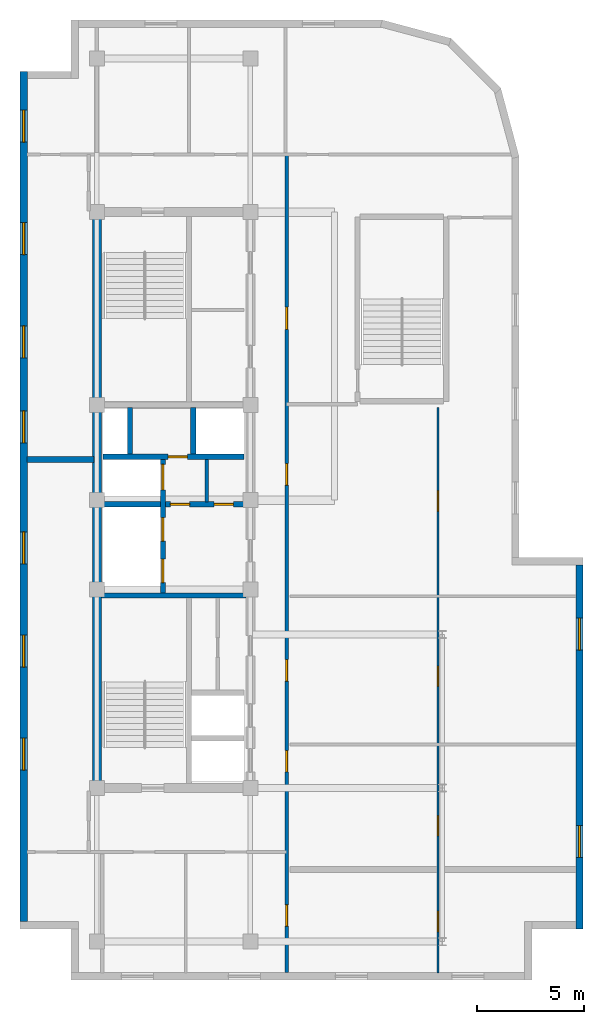
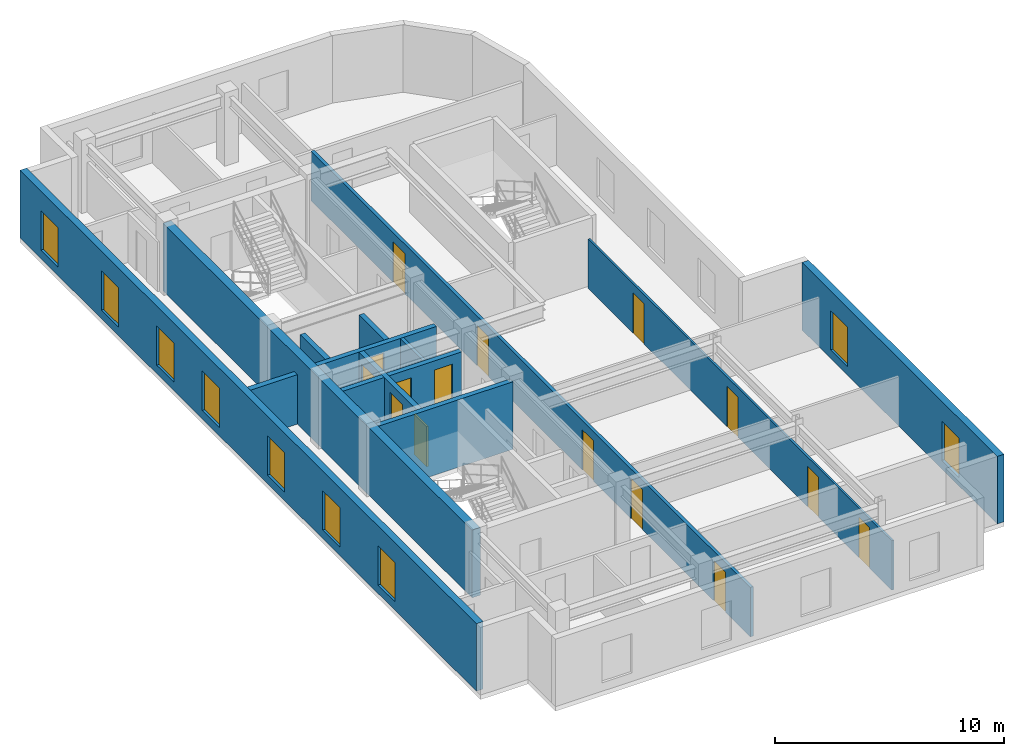
# One storey, part 3 of 6: 15 doors, 13 walls, 9 windows, 24 openings.
"""IFC4 building model written with IfcOpenShell, lengths in metres."""

from ifc_helpers import new_model, entity, si_unit, converted_unit, direction, frame, origin_with_axes, origin_2d_with_axis, place, context, subcontext, project, spatial, polyline, rectangle, outline, extrude, material, layer, layer_set, type_object, element, fill, save


model = new_model("IFC4")

# Units and contexts
model_context = context("Model", 3, precision=1e-05, world=origin_with_axes(), true_north=direction((0.0, 1.0)))
body_context = subcontext(model_context, "Body", "Model", "MODEL_VIEW")
ifc_project = project(units=[si_unit("LENGTHUNIT", "METRE"), si_unit("AREAUNIT", "SQUARE_METRE"), si_unit("VOLUMEUNIT", "CUBIC_METRE"), converted_unit("PLANEANGLEUNIT", "DEGREE", entity("IfcPlaneAngleMeasure", 0.017453292519943295), si_unit("PLANEANGLEUNIT", "RADIAN"), dimensions=[0, 0, 0, 0, 0, 0, 0]), si_unit("MASSUNIT", "GRAM", prefix="KILO"), si_unit("THERMODYNAMICTEMPERATUREUNIT", "KELVIN")], contexts=[model_context])

# Site, building, storey
site_placement = place(None, origin_with_axes())
site = spatial("IfcSite", under=ifc_project, at=site_placement, CompositionType="ELEMENT")
building_placement = place(site_placement, origin_with_axes())
building = spatial("IfcBuilding", under=site, at=building_placement, Name="Varnlund Millrace Tower", CompositionType="ELEMENT")
storey_placement = place(building_placement, frame((0.0, 0.0, 299.7), z_axis=(0.0, 0.0, 1.0), x_axis=(1.0, 0.0, 0.0)))
storey = spatial("IfcBuildingStorey", under=building, at=storey_placement, Name="L74", CompositionType="ELEMENT", Elevation=299.7)

# Wall
ifc_material_1 = material(Name="Concrete C60/75", Category="concrete")
ifc_layer_1 = layer(ifc_material_1, 0.42, Name="Concrete C60/75")
ifc_layer_set_1 = layer_set([ifc_layer_1], Name="Concrete C60/75")
wall_type_1 = type_object("IfcWallType", Name="Type-CoreWall-Shear-420-C60", PredefinedType="SHEAR", material=ifc_layer_set_1)
wall_1_placement = place(storey_placement, frame((11.4, 10.8, 0.0), z_axis=(0.0, 0.0, 1.0), x_axis=(0.0, 1.0, 0.0)))
element("IfcWall", 1, at=wall_1_placement, inside=storey, type_object=wall_type_1, Name="Type-CoreWall-Shear-420-C60", PredefinedType="SHEAR", context=body_context, shape_type="SweptSolid", body=[
    extrude(outline(polyline([(0.0, -0.21), (27.0, -0.21), (27.0, 0.21), (0.0, 0.21), (0.0, -0.21)])), origin_with_axes(), (0.0, 0.0, 1.0), 3.6),
])

# Wall, openings, windows
ifc_material_2 = material(Name="Precast concrete C50/60", Category="concrete")
ifc_layer_2 = layer(ifc_material_2, 0.34, Name="Precast concrete C50/60")
ifc_layer_set_2 = layer_set([ifc_layer_2], Name="Precast concrete C50/60")
wall_type_2 = type_object("IfcWallType", Name="Type-ExtWall-Precast-Upper-340", PredefinedType="SOLIDWALL", material=ifc_layer_set_2)
wall_2_placement = place(storey_placement, frame((7.97, 4.54, 0.0), z_axis=(0.0, 0.0, 1.0), x_axis=(0.0, 1.0, 0.0)))
wall_2 = element("IfcWall", 2, at=wall_2_placement, inside=storey, type_object=wall_type_2, Name="Type-ExtWall-Precast-Upper-340", PredefinedType="SOLIDWALL", context=body_context, shape_type="SweptSolid", body=[
    extrude(outline(polyline([(0.0, -0.17), (39.86, -0.17), (39.86, 0.17), (0.0, 0.17), (0.0, -0.17)])), origin_with_axes(), (0.0, 0.0, 1.0), 3.6),
])
opening_1_placement = place(wall_2_placement, frame((7.849, 0.0, 0.45), z_axis=(0.0, 0.0, 1.0), x_axis=(1.0, 0.0, 0.0)))
opening_1 = element("IfcOpeningElement", 3, at=opening_1_placement, cuts=wall_2, Name="Opening L74:WN-05", PredefinedType="OPENING", context=body_context, shape_type="SweptSolid", body=[
    extrude(rectangle(XDim=1.5, YDim=0.36, at=origin_2d_with_axis()), origin_with_axes(), (0.0, 0.0, 1.0), 2.1),
])
opening_2_placement = place(wall_2_placement, frame((12.681, 0.0, 0.45), z_axis=(0.0, 0.0, 1.0), x_axis=(1.0, 0.0, 0.0)))
opening_2 = element("IfcOpeningElement", 4, at=opening_2_placement, cuts=wall_2, Name="Opening L74:WN-06", PredefinedType="OPENING", context=body_context, shape_type="SweptSolid", body=[
    extrude(rectangle(XDim=1.5, YDim=0.36, at=origin_2d_with_axis()), origin_with_axes(), (0.0, 0.0, 1.0), 2.1),
])
opening_3_placement = place(wall_2_placement, frame((17.514, 0.0, 0.45), z_axis=(0.0, 0.0, 1.0), x_axis=(1.0, 0.0, 0.0)))
opening_3 = element("IfcOpeningElement", 5, at=opening_3_placement, cuts=wall_2, Name="Opening L74:WN-07", PredefinedType="OPENING", context=body_context, shape_type="SweptSolid", body=[
    extrude(rectangle(XDim=1.5, YDim=0.36, at=origin_2d_with_axis()), origin_with_axes(), (0.0, 0.0, 1.0), 2.1),
])
opening_4_placement = place(wall_2_placement, frame((23.196, 0.0, 0.45), z_axis=(0.0, 0.0, 1.0), x_axis=(1.0, 0.0, 0.0)))
opening_4 = element("IfcOpeningElement", 6, at=opening_4_placement, cuts=wall_2, Name="Opening L74:WN-08", PredefinedType="OPENING", context=body_context, shape_type="SweptSolid", body=[
    extrude(rectangle(XDim=1.5, YDim=0.36, at=origin_2d_with_axis()), origin_with_axes(), (0.0, 0.0, 1.0), 2.1),
])
opening_5_placement = place(wall_2_placement, frame((27.179, 0.0, 0.45), z_axis=(0.0, 0.0, 1.0), x_axis=(1.0, 0.0, 0.0)))
opening_5 = element("IfcOpeningElement", 7, at=opening_5_placement, cuts=wall_2, Name="Opening L74:WN-09", PredefinedType="OPENING", context=body_context, shape_type="SweptSolid", body=[
    extrude(rectangle(XDim=1.5, YDim=0.36, at=origin_2d_with_axis()), origin_with_axes(), (0.0, 0.0, 1.0), 2.1),
])
opening_6_placement = place(wall_2_placement, frame((32.011, 0.0, 0.45), z_axis=(0.0, 0.0, 1.0), x_axis=(1.0, 0.0, 0.0)))
opening_6 = element("IfcOpeningElement", 8, at=opening_6_placement, cuts=wall_2, Name="Opening L74:WN-10", PredefinedType="OPENING", context=body_context, shape_type="SweptSolid", body=[
    extrude(rectangle(XDim=1.5, YDim=0.36, at=origin_2d_with_axis()), origin_with_axes(), (0.0, 0.0, 1.0), 2.1),
])
opening_7_placement = place(wall_2_placement, frame((37.294, 0.0, 0.45), z_axis=(0.0, 0.0, 1.0), x_axis=(1.0, 0.0, 0.0)))
opening_7 = element("IfcOpeningElement", 9, at=opening_7_placement, cuts=wall_2, Name="Opening L74:WN-11", PredefinedType="OPENING", context=body_context, shape_type="SweptSolid", body=[
    extrude(rectangle(XDim=1.5, YDim=0.36, at=origin_2d_with_axis()), origin_with_axes(), (0.0, 0.0, 1.0), 2.1),
])
ifc_material_3 = material(Name="Argon low-e triple glazing in thermally broken bronze frame", Category="glass")
window_type = type_object("IfcWindowType", Name="Type-Window-Punched-1500X2100", PartitioningType="SINGLE_PANEL", PredefinedType="WINDOW", material=ifc_material_3)
window_1_placement = place(wall_2_placement, frame((7.849, 0.0, 0.45), z_axis=(0.0, 0.0, 1.0), x_axis=(1.0, 0.0, 0.0)))
window_1 = element("IfcWindow", 10, at=window_1_placement, inside=storey, type_object=window_type, Name="Type-Window-Punched-1500X2100", OverallHeight=2.1, OverallWidth=1.5, PredefinedType="WINDOW", context=body_context, shape_type="SweptSolid", body=[
    extrude(rectangle(XDim=1.5, YDim=0.09, at=origin_2d_with_axis()), origin_with_axes(), (0.0, 0.0, 1.0), 2.1),
])
fill(opening_1, window_1)
window_2_placement = place(wall_2_placement, frame((12.681, 0.0, 0.45), z_axis=(0.0, 0.0, 1.0), x_axis=(1.0, 0.0, 0.0)))
window_2 = element("IfcWindow", 11, at=window_2_placement, inside=storey, type_object=window_type, Name="Type-Window-Punched-1500X2100", OverallHeight=2.1, OverallWidth=1.5, PredefinedType="WINDOW", context=body_context, shape_type="SweptSolid", body=[
    extrude(rectangle(XDim=1.5, YDim=0.09, at=origin_2d_with_axis()), origin_with_axes(), (0.0, 0.0, 1.0), 2.1),
])
fill(opening_2, window_2)
window_3_placement = place(wall_2_placement, frame((17.514, 0.0, 0.45), z_axis=(0.0, 0.0, 1.0), x_axis=(1.0, 0.0, 0.0)))
window_3 = element("IfcWindow", 12, at=window_3_placement, inside=storey, type_object=window_type, Name="Type-Window-Punched-1500X2100", OverallHeight=2.1, OverallWidth=1.5, PredefinedType="WINDOW", context=body_context, shape_type="SweptSolid", body=[
    extrude(rectangle(XDim=1.5, YDim=0.09, at=origin_2d_with_axis()), origin_with_axes(), (0.0, 0.0, 1.0), 2.1),
])
fill(opening_3, window_3)
window_4_placement = place(wall_2_placement, frame((23.196, 0.0, 0.45), z_axis=(0.0, 0.0, 1.0), x_axis=(1.0, 0.0, 0.0)))
window_4 = element("IfcWindow", 13, at=window_4_placement, inside=storey, type_object=window_type, Name="Type-Window-Punched-1500X2100", OverallHeight=2.1, OverallWidth=1.5, PredefinedType="WINDOW", context=body_context, shape_type="SweptSolid", body=[
    extrude(rectangle(XDim=1.5, YDim=0.09, at=origin_2d_with_axis()), origin_with_axes(), (0.0, 0.0, 1.0), 2.1),
])
fill(opening_4, window_4)
window_5_placement = place(wall_2_placement, frame((27.179, 0.0, 0.45), z_axis=(0.0, 0.0, 1.0), x_axis=(1.0, 0.0, 0.0)))
window_5 = element("IfcWindow", 14, at=window_5_placement, inside=storey, type_object=window_type, Name="Type-Window-Punched-1500X2100", OverallHeight=2.1, OverallWidth=1.5, PredefinedType="WINDOW", context=body_context, shape_type="SweptSolid", body=[
    extrude(rectangle(XDim=1.5, YDim=0.09, at=origin_2d_with_axis()), origin_with_axes(), (0.0, 0.0, 1.0), 2.1),
])
fill(opening_5, window_5)
window_6_placement = place(wall_2_placement, frame((32.011, 0.0, 0.45), z_axis=(0.0, 0.0, 1.0), x_axis=(1.0, 0.0, 0.0)))
window_6 = element("IfcWindow", 15, at=window_6_placement, inside=storey, type_object=window_type, Name="Type-Window-Punched-1500X2100", OverallHeight=2.1, OverallWidth=1.5, PredefinedType="WINDOW", context=body_context, shape_type="SweptSolid", body=[
    extrude(rectangle(XDim=1.5, YDim=0.09, at=origin_2d_with_axis()), origin_with_axes(), (0.0, 0.0, 1.0), 2.1),
])
fill(opening_6, window_6)
window_7_placement = place(wall_2_placement, frame((37.294, 0.0, 0.45), z_axis=(0.0, 0.0, 1.0), x_axis=(1.0, 0.0, 0.0)))
window_7 = element("IfcWindow", 16, at=window_7_placement, inside=storey, type_object=window_type, Name="Type-Window-Punched-1500X2100", OverallHeight=2.1, OverallWidth=1.5, PredefinedType="WINDOW", context=body_context, shape_type="SweptSolid", body=[
    extrude(rectangle(XDim=1.5, YDim=0.09, at=origin_2d_with_axis()), origin_with_axes(), (0.0, 0.0, 1.0), 2.1),
])
fill(opening_7, window_7)

wall_3_placement = place(storey_placement, frame((34.03, 21.26, 0.0), z_axis=(0.0, 0.0, 1.0), x_axis=(0.0, -1.0, 0.0)))
wall_3 = element("IfcWall", 17, at=wall_3_placement, inside=storey, type_object=wall_type_2, Name="Type-ExtWall-Precast-Upper-340", PredefinedType="SOLIDWALL", context=body_context, shape_type="SweptSolid", body=[
    extrude(outline(polyline([(0.0, -0.17), (17.06, -0.17), (17.06, 0.17), (0.0, 0.17), (0.0, -0.17)])), origin_with_axes(), (0.0, 0.0, 1.0), 3.6),
])
opening_8_placement = place(wall_3_placement, frame((3.243, 0.0, 0.45), z_axis=(0.0, 0.0, 1.0), x_axis=(1.0, 0.0, 0.0)))
opening_8 = element("IfcOpeningElement", 18, at=opening_8_placement, cuts=wall_3, Name="Opening L74:WN-17", PredefinedType="OPENING", context=body_context, shape_type="SweptSolid", body=[
    extrude(rectangle(XDim=1.5, YDim=0.36, at=origin_2d_with_axis()), origin_with_axes(), (0.0, 0.0, 1.0), 2.1),
])
opening_9_placement = place(wall_3_placement, frame((12.967, 0.0, 0.45), z_axis=(0.0, 0.0, 1.0), x_axis=(1.0, 0.0, 0.0)))
opening_9 = element("IfcOpeningElement", 19, at=opening_9_placement, cuts=wall_3, Name="Opening L74:WN-18", PredefinedType="OPENING", context=body_context, shape_type="SweptSolid", body=[
    extrude(rectangle(XDim=1.5, YDim=0.36, at=origin_2d_with_axis()), origin_with_axes(), (0.0, 0.0, 1.0), 2.1),
])
window_8_placement = place(wall_3_placement, frame((3.243, 0.0, 0.45), z_axis=(0.0, 0.0, 1.0), x_axis=(1.0, 0.0, 0.0)))
window_8 = element("IfcWindow", 20, at=window_8_placement, inside=storey, type_object=window_type, Name="Type-Window-Punched-1500X2100", OverallHeight=2.1, OverallWidth=1.5, PredefinedType="WINDOW", context=body_context, shape_type="SweptSolid", body=[
    extrude(rectangle(XDim=1.5, YDim=0.09, at=origin_2d_with_axis()), origin_with_axes(), (0.0, 0.0, 1.0), 2.1),
])
fill(opening_8, window_8)
window_9_placement = place(wall_3_placement, frame((12.967, 0.0, 0.45), z_axis=(0.0, 0.0, 1.0), x_axis=(1.0, 0.0, 0.0)))
window_9 = element("IfcWindow", 21, at=window_9_placement, inside=storey, type_object=window_type, Name="Type-Window-Punched-1500X2100", OverallHeight=2.1, OverallWidth=1.5, PredefinedType="WINDOW", context=body_context, shape_type="SweptSolid", body=[
    extrude(rectangle(XDim=1.5, YDim=0.09, at=origin_2d_with_axis()), origin_with_axes(), (0.0, 0.0, 1.0), 2.1),
])
fill(opening_9, window_9)

# Walls
ifc_material_4 = material(Name="Double-stud STC-60 conference acoustic partition", Category="gypsum")
ifc_layer_3 = layer(ifc_material_4, 0.28, Name="Double-stud STC-60 conference acoustic partition")
ifc_layer_set_3 = layer_set([ifc_layer_3], Name="Double-stud STC-60 conference acoustic partition")
wall_type_3 = type_object("IfcWallType", Name="Type-Partition-Acoustic-280", PredefinedType="PARTITIONING", material=ifc_layer_set_3)
wall_4_placement = place(storey_placement, frame((8.135, 26.2, 0.0), z_axis=(0.0, 0.0, 1.0), x_axis=(1.0, 0.0, 0.0)))
element("IfcWall", 22, at=wall_4_placement, inside=storey, type_object=wall_type_3, Name="Type-Partition-Acoustic-280", PredefinedType="PARTITIONING", context=body_context, shape_type="SweptSolid", body=[
    extrude(outline(polyline([(0.0, -0.14), (3.135, -0.14), (3.135, 0.14), (0.0, 0.14), (0.0, -0.14)])), origin_with_axes(), (0.0, 0.0, 1.0), 2.64),
])
ifc_material_5 = material(Name="Fire-rated gypsum board on cold-formed steel framing", Category="steel")
ifc_layer_4 = layer(ifc_material_5, 0.16, Name="Fire-rated gypsum board on cold-formed steel framing")
ifc_layer_set_4 = layer_set([ifc_layer_4], Name="Fire-rated gypsum board on cold-formed steel framing")
wall_type_4 = type_object("IfcWallType", Name="Type-Partition-Corridor-160", PredefinedType="PARTITIONING", material=ifc_layer_set_4)
wall_5_placement = place(storey_placement, frame((16.55, 24.22, 0.0), z_axis=(0.0, 0.0, 1.0), x_axis=(0.0, 1.0, 0.0)))
element("IfcWall", 23, at=wall_5_placement, inside=storey, type_object=wall_type_4, Name="Type-Partition-Corridor-160", PredefinedType="PARTITIONING", context=body_context, shape_type="SweptSolid", body=[
    extrude(outline(polyline([(0.0, -0.08), (1.98, -0.08), (1.98, 0.08), (0.0, 0.08), (0.0, -0.08)])), origin_with_axes(), (0.0, 0.0, 1.0), 2.64),
])

# Wall, openings, doors
wall_6_placement = place(storey_placement, frame((20.3, 2.14, 0.0), z_axis=(0.0, 0.0, 1.0), x_axis=(0.0, 1.0, 0.0)))
wall_6 = element("IfcWall", 24, at=wall_6_placement, inside=storey, type_object=wall_type_4, Name="Type-Partition-Corridor-160", PredefinedType="PARTITIONING", context=body_context, shape_type="SweptSolid", body=[
    extrude(outline(polyline([(0.0, -0.08), (38.36, -0.08), (38.36, 0.08), (0.0, 0.08), (0.0, -0.08)])), origin_with_axes(), (0.0, 0.0, 1.0), 2.64),
])
opening_10_placement = place(wall_6_placement, frame((30.685, 0.0, 0.0), z_axis=(0.0, 0.0, 1.0), x_axis=(1.0, 0.0, 0.0)))
opening_10 = element("IfcOpeningElement", 25, at=opening_10_placement, cuts=wall_6, Name="Opening L74:DR-STA3-COR", PredefinedType="OPENING", context=body_context, shape_type="SweptSolid", body=[
    extrude(rectangle(XDim=1.05, YDim=0.18, at=origin_2d_with_axis()), origin_with_axes(), (0.0, 0.0, 1.0), 2.15),
])
opening_11_placement = place(wall_6_placement, frame((2.683, 0.0, 0.0), z_axis=(0.0, 0.0, 1.0), x_axis=(1.0, 0.0, 0.0)))
opening_11 = element("IfcOpeningElement", 26, at=opening_11_placement, cuts=wall_6, Name="Opening L74:DR-SUM-01", PredefinedType="OPENING", context=body_context, shape_type="SweptSolid", body=[
    extrude(rectangle(XDim=1.0, YDim=0.18, at=origin_2d_with_axis()), origin_with_axes(), (0.0, 0.0, 1.0), 2.15),
])
opening_12_placement = place(wall_6_placement, frame((9.919, 0.0, 0.0), z_axis=(0.0, 0.0, 1.0), x_axis=(1.0, 0.0, 0.0)))
opening_12 = element("IfcOpeningElement", 27, at=opening_12_placement, cuts=wall_6, Name="Opening L74:DR-SUM-02", PredefinedType="OPENING", context=body_context, shape_type="SweptSolid", body=[
    extrude(rectangle(XDim=1.0, YDim=0.18, at=origin_2d_with_axis()), origin_with_axes(), (0.0, 0.0, 1.0), 2.15),
])
opening_13_placement = place(wall_6_placement, frame((14.1755, 0.0, 0.0), z_axis=(0.0, 0.0, 1.0), x_axis=(1.0, 0.0, 0.0)))
opening_13 = element("IfcOpeningElement", 28, at=opening_13_placement, cuts=wall_6, Name="Opening L74:DR-SUM-03", PredefinedType="OPENING", context=body_context, shape_type="SweptSolid", body=[
    extrude(rectangle(XDim=1.0, YDim=0.18, at=origin_2d_with_axis()), origin_with_axes(), (0.0, 0.0, 1.0), 2.15),
])
opening_14_placement = place(wall_6_placement, frame((23.364, 0.0, 0.0), z_axis=(0.0, 0.0, 1.0), x_axis=(1.0, 0.0, 0.0)))
opening_14 = element("IfcOpeningElement", 29, at=opening_14_placement, cuts=wall_6, Name="Opening L74:DR-SUM-04", PredefinedType="OPENING", context=body_context, shape_type="SweptSolid", body=[
    extrude(rectangle(XDim=1.0, YDim=0.18, at=origin_2d_with_axis()), origin_with_axes(), (0.0, 0.0, 1.0), 2.15),
])
ifc_material_6 = material(Name="Smoke-barrier hollow steel fire door", Category="steel")
door_type_1 = type_object("IfcDoorType", Name="Type-FireDoor-Lobby-1050X2150", OperationType="NOTDEFINED", PredefinedType="DOOR", material=ifc_material_6)
door_1_placement = place(wall_6_placement, frame((30.685, 0.0, 0.0), z_axis=(0.0, 0.0, 1.0), x_axis=(1.0, 0.0, 0.0)))
door_1 = element("IfcDoor", 30, at=door_1_placement, inside=storey, type_object=door_type_1, Name="Type-FireDoor-Lobby-1050X2150", OperationType="SINGLE_SWING_LEFT", OverallHeight=2.15, OverallWidth=1.05, PredefinedType="DOOR", context=body_context, shape_type="SweptSolid", body=[
    extrude(rectangle(XDim=1.05, YDim=0.09, at=origin_2d_with_axis()), origin_with_axes(), (0.0, 0.0, 1.0), 2.15),
])
fill(opening_10, door_1)
ifc_material_7 = material(Name="Solid-core white oak and bronze frame door")
door_type_2 = type_object("IfcDoorType", Name="Type-IntDoor-Office-1000X2150", OperationType="NOTDEFINED", PredefinedType="DOOR", material=ifc_material_7)
door_2_placement = place(wall_6_placement, frame((2.683, 0.0, 0.0), z_axis=(0.0, 0.0, 1.0), x_axis=(1.0, 0.0, 0.0)))
door_2 = element("IfcDoor", 31, at=door_2_placement, inside=storey, type_object=door_type_2, Name="Type-IntDoor-Office-1000X2150", OperationType="SINGLE_SWING_LEFT", OverallHeight=2.15, OverallWidth=1.0, PredefinedType="DOOR", context=body_context, shape_type="SweptSolid", body=[
    extrude(rectangle(XDim=1.0, YDim=0.09, at=origin_2d_with_axis()), origin_with_axes(), (0.0, 0.0, 1.0), 2.15),
])
fill(opening_11, door_2)
door_3_placement = place(wall_6_placement, frame((9.919, 0.0, 0.0), z_axis=(0.0, 0.0, 1.0), x_axis=(1.0, 0.0, 0.0)))
door_3 = element("IfcDoor", 32, at=door_3_placement, inside=storey, type_object=door_type_2, Name="Type-IntDoor-Office-1000X2150", OperationType="SINGLE_SWING_RIGHT", OverallHeight=2.15, OverallWidth=1.0, PredefinedType="DOOR", context=body_context, shape_type="SweptSolid", body=[
    extrude(rectangle(XDim=1.0, YDim=0.09, at=origin_2d_with_axis()), origin_with_axes(), (0.0, 0.0, 1.0), 2.15),
])
fill(opening_12, door_3)
door_4_placement = place(wall_6_placement, frame((14.1755, 0.0, 0.0), z_axis=(0.0, 0.0, 1.0), x_axis=(1.0, 0.0, 0.0)))
door_4 = element("IfcDoor", 33, at=door_4_placement, inside=storey, type_object=door_type_2, Name="Type-IntDoor-Office-1000X2150", OperationType="SINGLE_SWING_LEFT", OverallHeight=2.15, OverallWidth=1.0, PredefinedType="DOOR", context=body_context, shape_type="SweptSolid", body=[
    extrude(rectangle(XDim=1.0, YDim=0.09, at=origin_2d_with_axis()), origin_with_axes(), (0.0, 0.0, 1.0), 2.15),
])
fill(opening_13, door_4)
door_5_placement = place(wall_6_placement, frame((23.364, 0.0, 0.0), z_axis=(0.0, 0.0, 1.0), x_axis=(1.0, 0.0, 0.0)))
door_5 = element("IfcDoor", 34, at=door_5_placement, inside=storey, type_object=door_type_2, Name="Type-IntDoor-Office-1000X2150", OperationType="SINGLE_SWING_RIGHT", OverallHeight=2.15, OverallWidth=1.0, PredefinedType="DOOR", context=body_context, shape_type="SweptSolid", body=[
    extrude(rectangle(XDim=1.0, YDim=0.09, at=origin_2d_with_axis()), origin_with_axes(), (0.0, 0.0, 1.0), 2.15),
])
fill(opening_14, door_5)

ifc_material_8 = material(Name="Architectural bronze and acoustic glass office front", Category="glass")
ifc_layer_5 = layer(ifc_material_8, 0.1, Name="Architectural bronze and acoustic glass office front")
ifc_layer_set_5 = layer_set([ifc_layer_5], Name="Architectural bronze and acoustic glass office front")
wall_type_5 = type_object("IfcWallType", Name="Type-Partition-Glazed-100", PredefinedType="PARTITIONING", material=ifc_layer_set_5)
wall_7_placement = place(storey_placement, frame((27.4, 2.135, 0.0), z_axis=(0.0, 0.0, 1.0), x_axis=(0.0, 1.0, 0.0)))
wall_7 = element("IfcWall", 35, at=wall_7_placement, inside=storey, type_object=wall_type_5, Name="Type-Partition-Glazed-100", PredefinedType="PARTITIONING", context=body_context, shape_type="SweptSolid", body=[
    extrude(outline(polyline([(0.0, -0.05), (26.515, -0.05), (26.515, 0.05), (0.0, 0.05), (0.0, -0.05)])), origin_with_axes(), (0.0, 0.0, 1.0), 2.64),
])
opening_15_placement = place(wall_7_placement, frame((2.408, 0.0, 0.0), z_axis=(0.0, 0.0, 1.0), x_axis=(1.0, 0.0, 0.0)))
opening_15 = element("IfcOpeningElement", 36, at=opening_15_placement, cuts=wall_7, Name="Opening L74:DR-SUM-S01", PredefinedType="OPENING", context=body_context, shape_type="SweptSolid", body=[
    extrude(rectangle(XDim=0.95, YDim=0.12, at=origin_2d_with_axis()), origin_with_axes(), (0.0, 0.0, 1.0), 2.15),
])
opening_16_placement = place(wall_7_placement, frame((6.894, 0.0, 0.0), z_axis=(0.0, 0.0, 1.0), x_axis=(1.0, 0.0, 0.0)))
opening_16 = element("IfcOpeningElement", 37, at=opening_16_placement, cuts=wall_7, Name="Opening L74:DR-SUM-S02", PredefinedType="OPENING", context=body_context, shape_type="SweptSolid", body=[
    extrude(rectangle(XDim=0.95, YDim=0.12, at=origin_2d_with_axis()), origin_with_axes(), (0.0, 0.0, 1.0), 2.15),
])
opening_17_placement = place(wall_7_placement, frame((13.901, 0.0, 0.0), z_axis=(0.0, 0.0, 1.0), x_axis=(1.0, 0.0, 0.0)))
opening_17 = element("IfcOpeningElement", 38, at=opening_17_placement, cuts=wall_7, Name="Opening L74:DR-SUM-S03", PredefinedType="OPENING", context=body_context, shape_type="SweptSolid", body=[
    extrude(rectangle(XDim=0.95, YDim=0.12, at=origin_2d_with_axis()), origin_with_axes(), (0.0, 0.0, 1.0), 2.15),
])
opening_18_placement = place(wall_7_placement, frame((22.1195, 0.0, 0.0), z_axis=(0.0, 0.0, 1.0), x_axis=(1.0, 0.0, 0.0)))
opening_18 = element("IfcOpeningElement", 39, at=opening_18_placement, cuts=wall_7, Name="Opening L74:DR-SUM-S04", PredefinedType="OPENING", context=body_context, shape_type="SweptSolid", body=[
    extrude(rectangle(XDim=0.95, YDim=0.12, at=origin_2d_with_axis()), origin_with_axes(), (0.0, 0.0, 1.0), 2.15),
])
ifc_material_9 = material(Name="Solid-core acoustic office door")
door_type_3 = type_object("IfcDoorType", Name="Type-IntDoor-Tenant-950X2150", OperationType="NOTDEFINED", PredefinedType="DOOR", material=ifc_material_9)
door_6_placement = place(wall_7_placement, frame((2.408, 0.0, 0.0), z_axis=(0.0, 0.0, 1.0), x_axis=(1.0, 0.0, 0.0)))
door_6 = element("IfcDoor", 40, at=door_6_placement, inside=storey, type_object=door_type_3, Name="Type-IntDoor-Tenant-950X2150", OperationType="SINGLE_SWING_LEFT", OverallHeight=2.15, OverallWidth=0.95, PredefinedType="DOOR", context=body_context, shape_type="SweptSolid", body=[
    extrude(rectangle(XDim=0.95, YDim=0.06, at=origin_2d_with_axis()), origin_with_axes(), (0.0, 0.0, 1.0), 2.15),
])
fill(opening_15, door_6)
door_7_placement = place(wall_7_placement, frame((6.894, 0.0, 0.0), z_axis=(0.0, 0.0, 1.0), x_axis=(1.0, 0.0, 0.0)))
door_7 = element("IfcDoor", 41, at=door_7_placement, inside=storey, type_object=door_type_3, Name="Type-IntDoor-Tenant-950X2150", OperationType="SINGLE_SWING_LEFT", OverallHeight=2.15, OverallWidth=0.95, PredefinedType="DOOR", context=body_context, shape_type="SweptSolid", body=[
    extrude(rectangle(XDim=0.95, YDim=0.06, at=origin_2d_with_axis()), origin_with_axes(), (0.0, 0.0, 1.0), 2.15),
])
fill(opening_16, door_7)
door_8_placement = place(wall_7_placement, frame((13.901, 0.0, 0.0), z_axis=(0.0, 0.0, 1.0), x_axis=(1.0, 0.0, 0.0)))
door_8 = element("IfcDoor", 42, at=door_8_placement, inside=storey, type_object=door_type_3, Name="Type-IntDoor-Tenant-950X2150", OperationType="SINGLE_SWING_LEFT", OverallHeight=2.15, OverallWidth=0.95, PredefinedType="DOOR", context=body_context, shape_type="SweptSolid", body=[
    extrude(rectangle(XDim=0.95, YDim=0.06, at=origin_2d_with_axis()), origin_with_axes(), (0.0, 0.0, 1.0), 2.15),
])
fill(opening_17, door_8)
door_9_placement = place(wall_7_placement, frame((22.1195, 0.0, 0.0), z_axis=(0.0, 0.0, 1.0), x_axis=(1.0, 0.0, 0.0)))
door_9 = element("IfcDoor", 43, at=door_9_placement, inside=storey, type_object=door_type_3, Name="Type-IntDoor-Tenant-950X2150", OperationType="SINGLE_SWING_LEFT", OverallHeight=2.15, OverallWidth=0.95, PredefinedType="DOOR", context=body_context, shape_type="SweptSolid", body=[
    extrude(rectangle(XDim=0.95, YDim=0.06, at=origin_2d_with_axis()), origin_with_axes(), (0.0, 0.0, 1.0), 2.15),
])
fill(opening_18, door_9)

ifc_layer_6 = layer(ifc_material_1, 0.25, Name="Concrete C60/75")
ifc_layer_set_6 = layer_set([ifc_layer_6], Name="Concrete C60/75")
wall_type_6 = type_object("IfcWallType", Name="Type-ShaftWall-Fire-250", PredefinedType="SOLIDWALL", material=ifc_layer_set_6)
wall_8_placement = place(storey_placement, frame((14.5, 19.95, 0.0), z_axis=(0.0, 0.0, 1.0), x_axis=(0.0, 1.0, 0.0)))
wall_8 = element("IfcWall", 44, at=wall_8_placement, inside=storey, type_object=wall_type_6, Name="Type-ShaftWall-Fire-250", PredefinedType="SOLIDWALL", context=body_context, shape_type="SweptSolid", body=[
    extrude(outline(polyline([(0.0, -0.125), (6.25, -0.125), (6.25, 0.125), (0.0, 0.125), (0.0, -0.125)])), origin_with_axes(), (0.0, 0.0, 1.0), 2.64),
])
opening_19_placement = place(wall_8_placement, frame((1.025, 0.0, 0.0), z_axis=(0.0, 0.0, 1.0), x_axis=(1.0, 0.0, 0.0)))
opening_19 = element("IfcOpeningElement", 45, at=opening_19_placement, cuts=wall_8, Name="Opening L74:LD-FSAE1", PredefinedType="OPENING", context=body_context, shape_type="SweptSolid", body=[
    extrude(rectangle(XDim=1.1, YDim=0.27, at=origin_2d_with_axis()), origin_with_axes(), (0.0, 0.0, 1.0), 2.15),
])
opening_20_placement = place(wall_8_placement, frame((2.975, 0.0, 0.0), z_axis=(0.0, 0.0, 1.0), x_axis=(1.0, 0.0, 0.0)))
opening_20 = element("IfcOpeningElement", 46, at=opening_20_placement, cuts=wall_8, Name="Opening L74:LD-FSAE2", PredefinedType="OPENING", context=body_context, shape_type="SweptSolid", body=[
    extrude(rectangle(XDim=1.1, YDim=0.27, at=origin_2d_with_axis()), origin_with_axes(), (0.0, 0.0, 1.0), 2.15),
])
opening_21_placement = place(wall_8_placement, frame((5.425, 0.0, 0.0), z_axis=(0.0, 0.0, 1.0), x_axis=(1.0, 0.0, 0.0)))
opening_21 = element("IfcOpeningElement", 47, at=opening_21_placement, cuts=wall_8, Name="Opening L74:LD-SRV1", PredefinedType="OPENING", context=body_context, shape_type="SweptSolid", body=[
    extrude(rectangle(XDim=1.2, YDim=0.27, at=origin_2d_with_axis()), origin_with_axes(), (0.0, 0.0, 1.0), 2.15),
])
ifc_material_10 = material(Name="Stainless and architectural bronze sliding landing door")
door_type_4 = type_object("IfcDoorType", Name="Type-LiftLandingDoor-1100X2150", OperationType="NOTDEFINED", PredefinedType="DOOR", material=ifc_material_10)
door_10_placement = place(wall_8_placement, frame((1.025, 0.0, 0.0), z_axis=(0.0, 0.0, 1.0), x_axis=(1.0, 0.0, 0.0)))
door_10 = element("IfcDoor", 48, at=door_10_placement, inside=storey, type_object=door_type_4, Name="Type-LiftLandingDoor-1100X2150", OperationType="SLIDING_TO_LEFT", OverallHeight=2.15, OverallWidth=1.1, PredefinedType="DOOR", context=body_context, shape_type="SweptSolid", body=[
    extrude(rectangle(XDim=1.1, YDim=0.09, at=origin_2d_with_axis()), origin_with_axes(), (0.0, 0.0, 1.0), 2.15),
])
fill(opening_19, door_10)
door_11_placement = place(wall_8_placement, frame((2.975, 0.0, 0.0), z_axis=(0.0, 0.0, 1.0), x_axis=(1.0, 0.0, 0.0)))
door_11 = element("IfcDoor", 49, at=door_11_placement, inside=storey, type_object=door_type_4, Name="Type-LiftLandingDoor-1100X2150", OperationType="SLIDING_TO_RIGHT", OverallHeight=2.15, OverallWidth=1.1, PredefinedType="DOOR", context=body_context, shape_type="SweptSolid", body=[
    extrude(rectangle(XDim=1.1, YDim=0.09, at=origin_2d_with_axis()), origin_with_axes(), (0.0, 0.0, 1.0), 2.15),
])
fill(opening_20, door_11)
ifc_material_11 = material(Name="Heavy-duty freight sliding landing door")
door_type_5 = type_object("IfcDoorType", Name="Type-LiftLandingDoor-Service-1200X2150", OperationType="NOTDEFINED", PredefinedType="DOOR", material=ifc_material_11)
door_12_placement = place(wall_8_placement, frame((5.425, 0.0, 0.0), z_axis=(0.0, 0.0, 1.0), x_axis=(1.0, 0.0, 0.0)))
door_12 = element("IfcDoor", 50, at=door_12_placement, inside=storey, type_object=door_type_5, Name="Type-LiftLandingDoor-Service-1200X2150", OperationType="DOUBLE_DOOR_SLIDING", OverallHeight=2.15, OverallWidth=1.2, PredefinedType="DOOR", context=body_context, shape_type="SweptSolid", body=[
    extrude(rectangle(XDim=1.2, YDim=0.09, at=origin_2d_with_axis()), origin_with_axes(), (0.0, 0.0, 1.0), 2.15),
])
fill(opening_21, door_12)

wall_9_placement = place(storey_placement, frame((11.7, 24.1, 0.0), z_axis=(0.0, 0.0, 1.0), x_axis=(1.0, 0.0, 0.0)))
wall_9 = element("IfcWall", 51, at=wall_9_placement, inside=storey, type_object=wall_type_6, Name="Type-ShaftWall-Fire-250", PredefinedType="SOLIDWALL", context=body_context, shape_type="SweptSolid", body=[
    extrude(outline(polyline([(0.0, -0.125), (6.6, -0.125), (6.6, 0.125), (0.0, 0.125), (0.0, -0.125)])), origin_with_axes(), (0.0, 0.0, 1.0), 2.64),
])
opening_22_placement = place(wall_9_placement, frame((3.6, 0.0, 0.0), z_axis=(0.0, 0.0, 1.0), x_axis=(1.0, 0.0, 0.0)))
opening_22 = element("IfcOpeningElement", 52, at=opening_22_placement, cuts=wall_9, Name="Opening L74:DR-CA-SUB1", PredefinedType="OPENING", context=body_context, shape_type="SweptSolid", body=[
    extrude(rectangle(XDim=0.9, YDim=0.27, at=origin_2d_with_axis()), origin_with_axes(), (0.0, 0.0, 1.0), 2.15),
])
opening_23_placement = place(wall_9_placement, frame((5.65, 0.0, 0.0), z_axis=(0.0, 0.0, 1.0), x_axis=(1.0, 0.0, 0.0)))
opening_23 = element("IfcOpeningElement", 53, at=opening_23_placement, cuts=wall_9, Name="Opening L74:DR-CA-SUB2", PredefinedType="OPENING", context=body_context, shape_type="SweptSolid", body=[
    extrude(rectangle(XDim=0.9, YDim=0.27, at=origin_2d_with_axis()), origin_with_axes(), (0.0, 0.0, 1.0), 2.15),
])
ifc_material_12 = material(Name="Fire-rated hollow steel service closet door", Category="steel")
door_type_6 = type_object("IfcDoorType", Name="Type-FireDoor-Closet-900X2150", OperationType="NOTDEFINED", PredefinedType="DOOR", material=ifc_material_12)
door_13_placement = place(wall_9_placement, frame((3.6, 0.0, 0.0), z_axis=(0.0, 0.0, 1.0), x_axis=(1.0, 0.0, 0.0)))
door_13 = element("IfcDoor", 54, at=door_13_placement, inside=storey, type_object=door_type_6, Name="Type-FireDoor-Closet-900X2150", OperationType="SINGLE_SWING_LEFT", OverallHeight=2.15, OverallWidth=0.9, PredefinedType="DOOR", context=body_context, shape_type="SweptSolid", body=[
    extrude(rectangle(XDim=0.9, YDim=0.09, at=origin_2d_with_axis()), origin_with_axes(), (0.0, 0.0, 1.0), 2.15),
])
fill(opening_22, door_13)
door_14_placement = place(wall_9_placement, frame((5.65, 0.0, 0.0), z_axis=(0.0, 0.0, 1.0), x_axis=(1.0, 0.0, 0.0)))
door_14 = element("IfcDoor", 55, at=door_14_placement, inside=storey, type_object=door_type_6, Name="Type-FireDoor-Closet-900X2150", OperationType="SINGLE_SWING_LEFT", OverallHeight=2.15, OverallWidth=0.9, PredefinedType="DOOR", context=body_context, shape_type="SweptSolid", body=[
    extrude(rectangle(XDim=0.9, YDim=0.09, at=origin_2d_with_axis()), origin_with_axes(), (0.0, 0.0, 1.0), 2.15),
])
fill(opening_23, door_14)

# Wall, opening, door
wall_10_placement = place(storey_placement, frame((11.7, 26.325, 0.0), z_axis=(0.0, 0.0, 1.0), x_axis=(1.0, 0.0, 0.0)))
wall_10 = element("IfcWall", 56, at=wall_10_placement, inside=storey, type_object=wall_type_6, Name="Type-ShaftWall-Fire-250", PredefinedType="SOLIDWALL", context=body_context, shape_type="SweptSolid", body=[
    extrude(outline(polyline([(0.0, -0.125), (6.6, -0.125), (6.6, 0.125), (0.0, 0.125), (0.0, -0.125)])), origin_with_axes(), (0.0, 0.0, 1.0), 2.64),
])
opening_24_placement = place(wall_10_placement, frame((3.5, 0.0, 0.0), z_axis=(0.0, 0.0, 1.0), x_axis=(1.0, 0.0, 0.0)))
opening_24 = element("IfcOpeningElement", 57, at=opening_24_placement, cuts=wall_10, Name="Opening L74:DR-CA-ELC", PredefinedType="OPENING", context=body_context, shape_type="SweptSolid", body=[
    extrude(rectangle(XDim=0.9, YDim=0.27, at=origin_2d_with_axis()), origin_with_axes(), (0.0, 0.0, 1.0), 2.15),
])
door_15_placement = place(wall_10_placement, frame((3.5, 0.0, 0.0), z_axis=(0.0, 0.0, 1.0), x_axis=(1.0, 0.0, 0.0)))
door_15 = element("IfcDoor", 58, at=door_15_placement, inside=storey, type_object=door_type_6, Name="Type-FireDoor-Closet-900X2150", OperationType="SINGLE_SWING_LEFT", OverallHeight=2.15, OverallWidth=0.9, PredefinedType="DOOR", context=body_context, shape_type="SweptSolid", body=[
    extrude(rectangle(XDim=0.9, YDim=0.09, at=origin_2d_with_axis()), origin_with_axes(), (0.0, 0.0, 1.0), 2.15),
])
fill(opening_24, door_15)

# Walls
for number, where, z_axis, x_axis, name in (
    (59, (12.96, 26.45, 0.0), (0.0, 0.0, 1.0), (0.0, 1.0, 0.0), "Type-ShaftWall-Fire-250"),
    (60, (15.925, 26.45, 0.0), (0.0, 0.0, 1.0), (0.0, 1.0, 0.0), "Type-ShaftWall-Fire-250"),
):
    element("IfcWall", number, at=place(storey_placement, frame(where, z_axis=z_axis, x_axis=x_axis)), inside=storey, type_object=wall_type_6, Name=name, PredefinedType="SOLIDWALL", context=body_context, shape_type="SweptSolid", body=[
        extrude(outline(polyline([(0.0, -0.125), (2.2, -0.125), (2.2, 0.125), (0.0, 0.125), (0.0, -0.125)])), origin_with_axes(), (0.0, 0.0, 1.0), 2.64),
    ])
wall_type_7 = type_object("IfcWallType", Name="Type-StairWall-Shear-250", PredefinedType="SHEAR", material=ifc_layer_set_6)
wall_11_placement = place(storey_placement, frame((11.61, 19.825, 0.0), z_axis=(0.0, 0.0, 1.0), x_axis=(1.0, 0.0, 0.0)))
element("IfcWall", 61, at=wall_11_placement, inside=storey, type_object=wall_type_7, Name="Type-StairWall-Shear-250", PredefinedType="SHEAR", context=body_context, shape_type="SweptSolid", body=[
    extrude(outline(polyline([(0.0, -0.125), (6.78, -0.125), (6.78, 0.125), (0.0, 0.125), (0.0, -0.125)])), origin_with_axes(), (0.0, 0.0, 1.0), 3.6),
])

save(model, "model.ifc")
